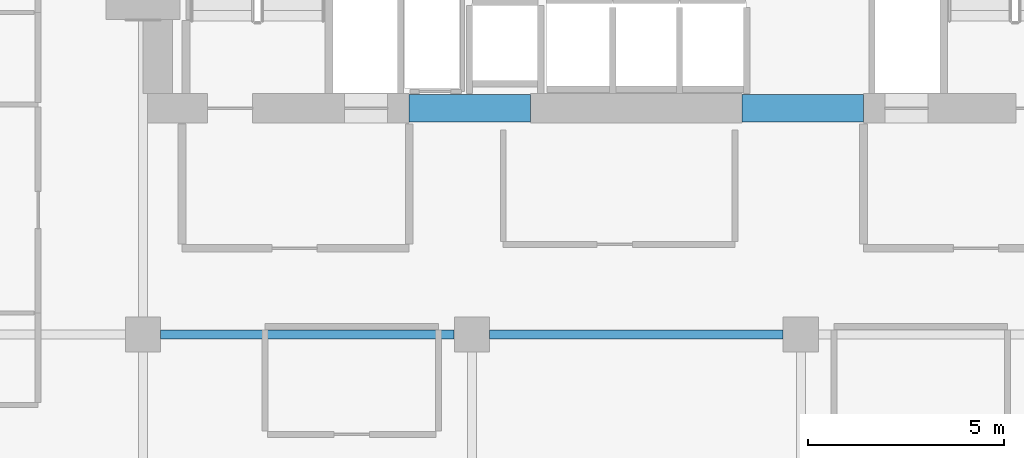
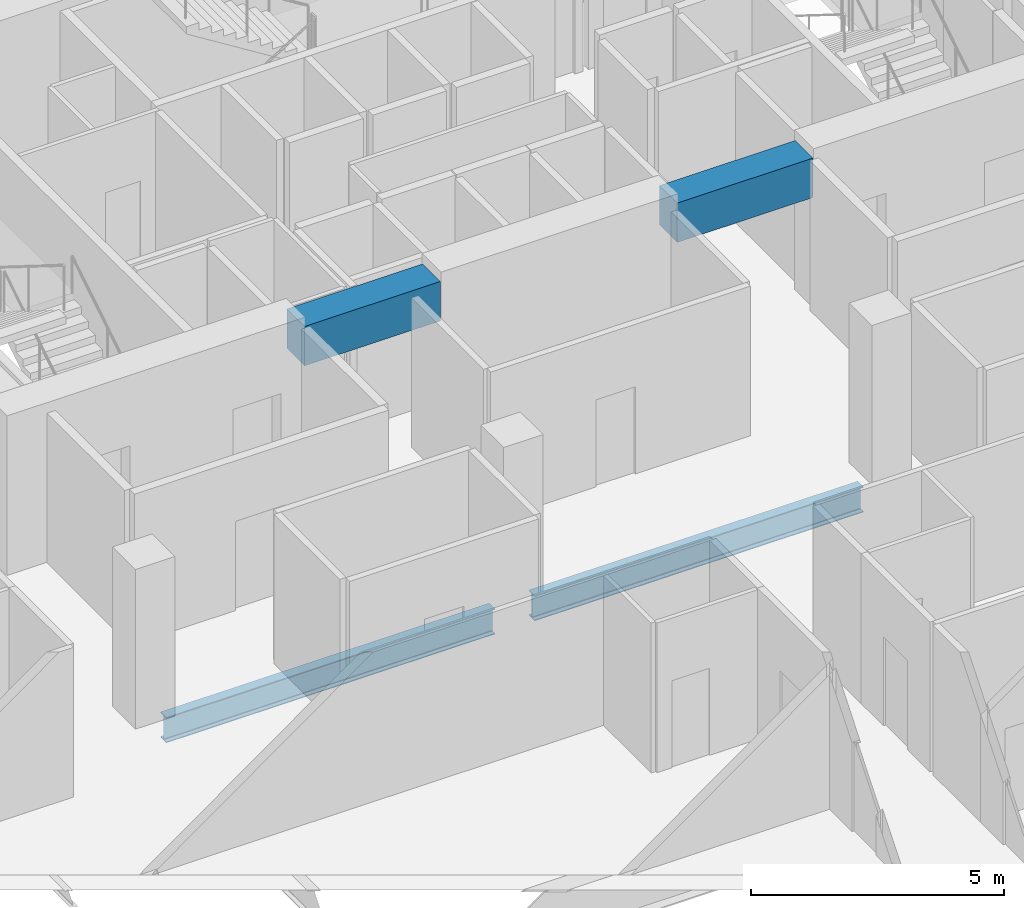
# One storey, part 21 of 33: 4 beams.
"""IFC4 building model written with IfcOpenShell, lengths in metres."""

from ifc_helpers import new_model, si_unit, direction, frame, origin, origin_2d, place, context, subcontext, project, spatial, rectangle, i_section, extrude, material, material_profile, profile_set, type_object, element, save


model = new_model("IFC4")

# Units and contexts
model_context = context("Model", 3, precision=1e-05, world=origin(), true_north=direction((0.0, 1.0)))
body_context = subcontext(model_context, "Body", "Model", "MODEL_VIEW")
ifc_project = project(units=[si_unit("LENGTHUNIT", "METRE"), si_unit("AREAUNIT", "SQUARE_METRE"), si_unit("VOLUMEUNIT", "CUBIC_METRE"), si_unit("PLANEANGLEUNIT", "RADIAN"), si_unit("MASSUNIT", "GRAM", prefix="KILO")], contexts=[model_context])

# Site, building, storey
site_placement = place(None, origin())
site = spatial("IfcSite", under=ifc_project, at=site_placement, CompositionType="ELEMENT")
building_placement = place(site_placement, origin())
building = spatial("IfcBuilding", under=site, at=building_placement, Name="Maruvema Waterfront Hotel and Observation Tower", CompositionType="ELEMENT")
storey_placement = place(building_placement, frame((0.0, 0.0, 138.949951171875)))
storey = spatial("IfcBuildingStorey", under=building, at=storey_placement, Name="L33", CompositionType="ELEMENT", Elevation=138.949951171875)

# Beams
ifc_material_1 = material(Name="Concrete C60/75", Category="concrete")
ifc_material_profile_1 = material_profile(ifc_material_1, rectangle(XDim=0.699951171875, YDim=0.949951171875, at=origin_2d()), Name="CB700x950")
ifc_profile_set_1 = profile_set([ifc_material_profile_1], Name="Concrete C60/75")
beam_type_1 = type_object("IfcBeamType", Name="Core Coupling Lintel Beam CB700x950", PredefinedType="LINTEL", material=ifc_profile_set_1)
for number, where, z_axis, x_axis, name in (
    (1, (32.0, 41.77490234375, 3.135009765625), (1.0, 0.0, 0.0), (0.0, 1.0, 0.0), "L33 Core Coupling Lintel Beam West"),
    (2, (40.5, 41.77490234375, 3.135009765625), (1.0, 0.0, 0.0), (0.0, 1.0, 0.0), "L33 Core Coupling Lintel Beam East"),
):
    element("IfcBeam", number, at=place(storey_placement, frame(where, z_axis=z_axis, x_axis=x_axis)), inside=storey, type_object=beam_type_1, Name=name, PredefinedType="LINTEL", context=body_context, shape_type="SweptSolid", body=[
        extrude(rectangle(XDim=0.699951171875, YDim=0.949951171875, at=origin_2d()), origin(), (0.0, 0.0, 1.0), 3.10009765625),
    ])
ifc_material_2 = material(Name="Steel ASTM A572 Grade 50", Category="steel")
ifc_material_profile_2 = material_profile(ifc_material_2, i_section(OverallWidth=0.22900390625, OverallDepth=0.612060546875, WebThickness=0.011962890625, FlangeThickness=0.01953125, FilletRadius=0.01806640625, at=origin_2d()), Name="W610x125.0")
ifc_profile_set_2 = profile_set([ifc_material_profile_2], Name="Steel ASTM A572 Grade 50")
beam_type_2 = type_object("IfcBeamType", Name="Primary Floor Girder W610x125.0", PredefinedType="BEAM", material=ifc_profile_set_2)
for number, where, z_axis, x_axis, name in (
    (3, (25.64990234375, 36.0, -0.5458984375), (1.0, 0.0, 0.0), (0.0, 1.0, 0.0), "L33 Floor Girder EW-25"),
    (4, (34.050048828125, 36.0, -0.5458984375), (1.0, 0.0, 0.0), (0.0, 1.0, 0.0), "L33 Floor Girder EW-26"),
):
    element("IfcBeam", number, at=place(storey_placement, frame(where, z_axis=z_axis, x_axis=x_axis)), inside=storey, type_object=beam_type_2, Name=name, PredefinedType="BEAM", context=body_context, shape_type="SweptSolid", body=[
        extrude(i_section(OverallWidth=0.22900390625, OverallDepth=0.612060546875, WebThickness=0.011962890625, FlangeThickness=0.01953125, FilletRadius=0.01806640625, at=origin_2d()), origin(), (0.0, 0.0, 1.0), 7.5),
    ])

save(model, "model.ifc")
